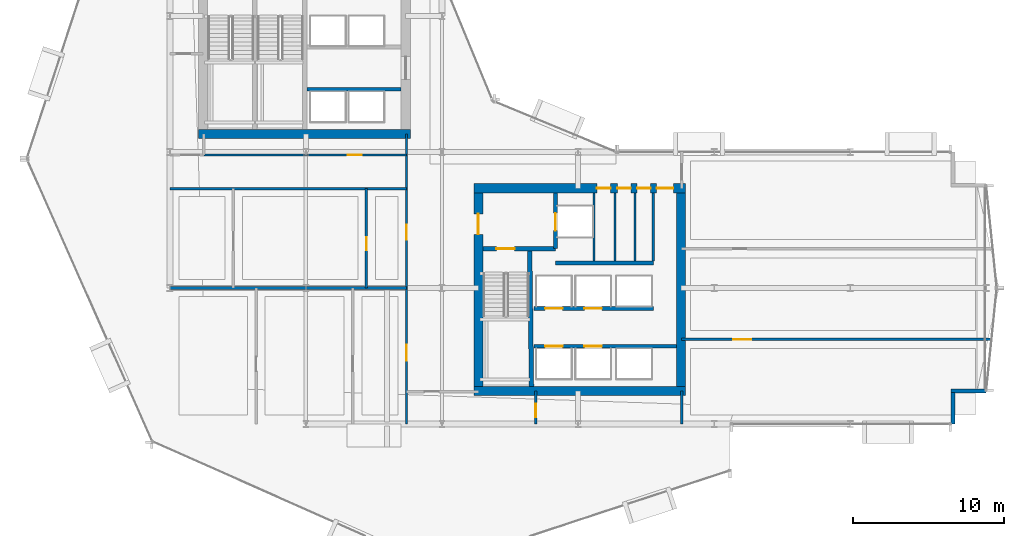
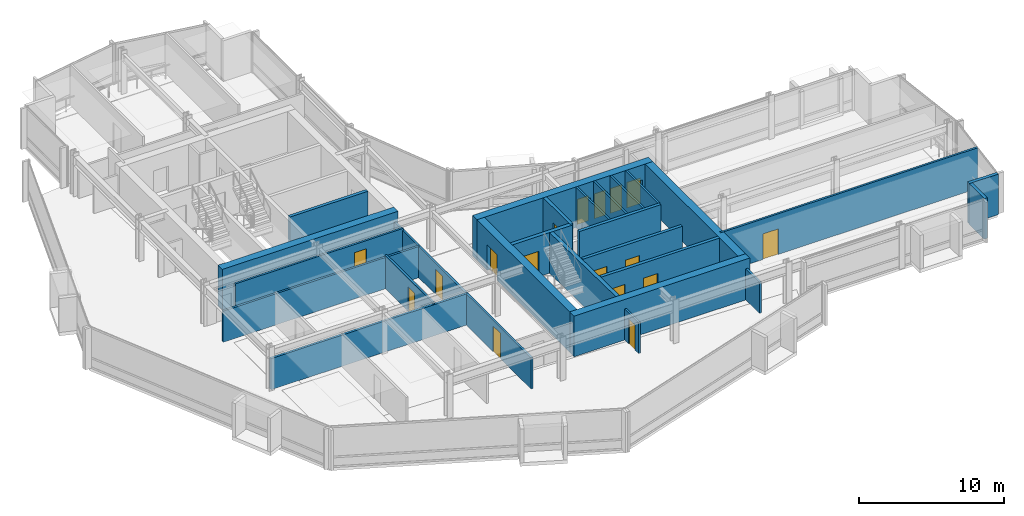
# One storey, part 27 of 34: 26 walls, 17 doors, 17 openings.
"""IFC4 building model written with IfcOpenShell, lengths in metres."""

from ifc_helpers import new_model, si_unit, direction, frame, frame_2d, origin, place, context, subcontext, project, spatial, rectangle, extrude, material, layer, layer_set, type_object, element, fill, save


model = new_model("IFC4")

# Units and contexts
model_context = context("Model", 3, precision=1e-05, world=origin(), true_north=direction((0.0, 1.0)))
body_context = subcontext(model_context, "Body", "Model", "MODEL_VIEW")
ifc_project = project(units=[si_unit("LENGTHUNIT", "METRE"), si_unit("AREAUNIT", "SQUARE_METRE"), si_unit("VOLUMEUNIT", "CUBIC_METRE"), si_unit("PLANEANGLEUNIT", "RADIAN"), si_unit("MASSUNIT", "GRAM", prefix="KILO")], contexts=[model_context])

# Site, building, storey
site_placement = place(None, origin())
site = spatial("IfcSite", under=ifc_project, at=site_placement, CompositionType="ELEMENT")
building_placement = place(site_placement, origin())
building = spatial("IfcBuilding", under=site, at=building_placement, Name="Solvaryn Broadcast Tower", CompositionType="ELEMENT")
storey_placement = place(building_placement, frame((0.0, 0.0, 69.300048828125)))
storey = spatial("IfcBuildingStorey", under=building, at=storey_placement, Name="L16", CompositionType="ELEMENT", Elevation=69.300048828125)

# Walls
ifc_material_1 = material(Name="Concrete f'c 70 MPa", Category="concrete")
ifc_layer_1 = layer(ifc_material_1, 0.60009765625)
ifc_layer_set_1 = layer_set([ifc_layer_1], Name="CW-SHEAR-600")
wall_type_1 = type_object("IfcWallType", Name="CW-SHEAR-600", PredefinedType="SHEAR", material=ifc_layer_set_1)
for number, where, z_axis, x_axis, name in (
    (1, (10.89990234375, 28.199951171875, 0.0), (0.0, 0.0, 1.0), (1.0, 0.0, 0.0), "L16 West Core South Shear Wall"),
    (2, (29.10009765625, 11.199951171875, 0.0), (0.0, 0.0, 1.0), (1.0, 0.0, 0.0), "L16 East Core South Shear Wall"),
):
    element("IfcWall", number, at=place(storey_placement, frame(where, z_axis=z_axis, x_axis=x_axis)), inside=storey, type_object=wall_type_1, Name=name, PredefinedType="SHEAR", context=body_context, shape_type="SweptSolid", body=[
        extrude(rectangle(XDim=14.0, YDim=0.60009765625, at=frame_2d((7.0, 0.0))), origin(), (0.0, 0.0, 1.0), 3.419921875),
    ])

# Wall, openings, doors
wall_1_placement = place(storey_placement, frame((43.10009765625, 24.60009765625, 0.0), z_axis=(0.0, 0.0, 1.0), x_axis=(-1.0, 0.0, 0.0)))
wall_1 = element("IfcWall", 3, at=wall_1_placement, inside=storey, type_object=wall_type_1, Name="L16 East Core North Shear Wall", PredefinedType="SHEAR", context=body_context, shape_type="SweptSolid", body=[
    extrude(rectangle(XDim=14.0, YDim=0.60009765625, at=frame_2d((7.0, 0.0))), origin(), (0.0, 0.0, 1.0), 3.419921875),
])
opening_1_placement = place(wall_1_placement, frame((0.800048828125, 0.0, 0.0)))
opening_1 = element("IfcOpeningElement", 4, at=opening_1_placement, cuts=wall_1, Name="Opening FD90C", PredefinedType="OPENING", context=body_context, shape_type="SweptSolid", body=[
    extrude(rectangle(XDim=1.10009765625, YDim=2.14990234375, at=frame_2d((0.550048828125, 1.074951171875))), frame((0.0, 0.31005859375, 0.0), z_axis=(0.0, -1.0, 0.0), x_axis=(1.0, 0.0, 0.0)), (0.0, 0.0, 1.0), 0.6201171875),
])
opening_2_placement = place(wall_1_placement, frame((2.300048828125, 0.0, 0.0)))
opening_2 = element("IfcOpeningElement", 5, at=opening_2_placement, cuts=wall_1, Name="Opening FD60C", PredefinedType="OPENING", context=body_context, shape_type="SweptSolid", body=[
    extrude(rectangle(XDim=0.89990234375, YDim=2.10009765625, at=frame_2d((0.449951171875, 1.050048828125))), frame((0.0, 0.31005859375, 0.0), z_axis=(0.0, -1.0, 0.0), x_axis=(1.0, 0.0, 0.0)), (0.0, 0.0, 1.0), 0.6201171875),
])
opening_3_placement = place(wall_1_placement, frame((3.60009765625, 0.0, 0.0)))
opening_3 = element("IfcOpeningElement", 6, at=opening_3_placement, cuts=wall_1, Name="Opening FD60C", PredefinedType="OPENING", context=body_context, shape_type="SweptSolid", body=[
    extrude(rectangle(XDim=0.89990234375, YDim=2.10009765625, at=frame_2d((0.449951171875, 1.050048828125))), frame((0.0, 0.31005859375, 0.0), z_axis=(0.0, -1.0, 0.0), x_axis=(1.0, 0.0, 0.0)), (0.0, 0.0, 1.0), 0.6201171875),
])
opening_4_placement = place(wall_1_placement, frame((4.949951171875, 0.0, 0.0)))
opening_4 = element("IfcOpeningElement", 7, at=opening_4_placement, cuts=wall_1, Name="Opening FD60C", PredefinedType="OPENING", context=body_context, shape_type="SweptSolid", body=[
    extrude(rectangle(XDim=0.89990234375, YDim=2.10009765625, at=frame_2d((0.449951171875, 1.050048828125))), frame((0.0, 0.31005859375, 0.0), z_axis=(0.0, -1.0, 0.0), x_axis=(1.0, 0.0, 0.0)), (0.0, 0.0, 1.0), 0.6201171875),
])
ifc_material_2 = material(Name="Flush Acoustic Steel and Timber Door Assembly", Category="steel")
door_type_1 = type_object("IfcDoorType", Name="FD60-SERV-900X2100", OperationType="NOTDEFINED", PredefinedType="DOOR", material=ifc_material_2)
door_1_placement = place(opening_2_placement, origin())
door_1 = element("IfcDoor", 8, at=door_1_placement, inside=storey, type_object=door_type_1, Name="L16 Core Wellness Room Door", OperationType="SINGLE_SWING_RIGHT", OverallHeight=2.10009765625, OverallWidth=0.89990234375, PredefinedType="DOOR", context=body_context, shape_type="SweptSolid", body=[
    extrude(rectangle(XDim=0.89990234375, YDim=2.10009765625, at=frame_2d((0.449951171875, 1.050048828125))), frame((0.0, 0.02490234375, 0.0), z_axis=(0.0, -1.0, 0.0), x_axis=(1.0, 0.0, 0.0)), (0.0, 0.0, 1.0), 0.050048828125),
])
fill(opening_2, door_1)
door_2_placement = place(opening_3_placement, origin())
door_2 = element("IfcDoor", 9, at=door_2_placement, inside=storey, type_object=door_type_1, Name="L16 Staff Restroom Door", OperationType="SINGLE_SWING_LEFT", OverallHeight=2.10009765625, OverallWidth=0.89990234375, PredefinedType="DOOR", context=body_context, shape_type="SweptSolid", body=[
    extrude(rectangle(XDim=0.89990234375, YDim=2.10009765625, at=frame_2d((0.449951171875, 1.050048828125))), frame((0.0, 0.02490234375, 0.0), z_axis=(0.0, -1.0, 0.0), x_axis=(1.0, 0.0, 0.0)), (0.0, 0.0, 1.0), 0.050048828125),
])
fill(opening_3, door_2)
door_3_placement = place(opening_4_placement, origin())
door_3 = element("IfcDoor", 10, at=door_3_placement, inside=storey, type_object=door_type_1, Name="L16 Accessible WC Door", OperationType="SINGLE_SWING_RIGHT", OverallHeight=2.10009765625, OverallWidth=0.89990234375, PredefinedType="DOOR", context=body_context, shape_type="SweptSolid", body=[
    extrude(rectangle(XDim=0.89990234375, YDim=2.10009765625, at=frame_2d((0.449951171875, 1.050048828125))), frame((0.0, 0.02490234375, 0.0), z_axis=(0.0, -1.0, 0.0), x_axis=(1.0, 0.0, 0.0)), (0.0, 0.0, 1.0), 0.050048828125),
])
fill(opening_4, door_3)
ifc_material_3 = material(Name="Flush Acoustic Steel and Timber Door Assembly", Category="steel")
door_type_2 = type_object("IfcDoorType", Name="FD90-PLANT-1100X2150", OperationType="NOTDEFINED", PredefinedType="DOOR", material=ifc_material_3)
door_4_placement = place(opening_1_placement, origin())
door_4 = element("IfcDoor", 11, at=door_4_placement, inside=storey, type_object=door_type_2, Name="L16 East Core Lobby Corridor Door", OperationType="SINGLE_SWING_LEFT", OverallHeight=2.14990234375, OverallWidth=1.10009765625, PredefinedType="DOOR", context=body_context, shape_type="SweptSolid", body=[
    extrude(rectangle(XDim=1.10009765625, YDim=2.14990234375, at=frame_2d((0.550048828125, 1.074951171875))), frame((0.0, 0.02490234375, 0.0), z_axis=(0.0, -1.0, 0.0), x_axis=(1.0, 0.0, 0.0)), (0.0, 0.0, 1.0), 0.050048828125),
])
fill(opening_1, door_4)

# Wall, opening, door
wall_2_placement = place(storey_placement, frame((29.39990234375, 24.300048828125, 0.0), z_axis=(0.0, 0.0, 1.0), x_axis=(0.0, -1.0, 0.0)))
wall_2 = element("IfcWall", 12, at=wall_2_placement, inside=storey, type_object=wall_type_1, Name="L16 East Core West Shear Wall", PredefinedType="SHEAR", context=body_context, shape_type="SweptSolid", body=[
    extrude(rectangle(XDim=12.800048828125, YDim=0.60009765625, at=frame_2d((6.39990234375, 0.0))), origin(), (0.0, 0.0, 1.0), 3.419921875),
])
opening_5_placement = place(wall_2_placement, frame((1.39990234375, 0.0, 0.0)))
opening_5 = element("IfcOpeningElement", 13, at=opening_5_placement, cuts=wall_2, Name="Opening FD90B", PredefinedType="OPENING", context=body_context, shape_type="SweptSolid", body=[
    extrude(rectangle(XDim=1.35009765625, YDim=2.14990234375, at=frame_2d((0.675048828125, 1.074951171875))), frame((0.0, 0.31005859375, 0.0), z_axis=(0.0, -1.0, 0.0), x_axis=(1.0, 0.0, 0.0)), (0.0, 0.0, 1.0), 0.6201171875),
])
ifc_material_4 = material(Name="Flush Acoustic Steel and Timber Door Assembly", Category="steel")
door_type_3 = type_object("IfcDoorType", Name="FD90-LOBBY-1350X2150", OperationType="NOTDEFINED", PredefinedType="DOOR", material=ifc_material_4)
door_5_placement = place(opening_5_placement, origin())
door_5 = element("IfcDoor", 14, at=door_5_placement, inside=storey, type_object=door_type_3, Name="L16 East FSAE Lobby Door", OperationType="SINGLE_SWING_RIGHT", OverallHeight=2.14990234375, OverallWidth=1.35009765625, PredefinedType="DOOR", context=body_context, shape_type="SweptSolid", body=[
    extrude(rectangle(XDim=1.35009765625, YDim=2.14990234375, at=frame_2d((0.675048828125, 1.074951171875))), frame((0.0, 0.02490234375, 0.0), z_axis=(0.0, -1.0, 0.0), x_axis=(1.0, 0.0, 0.0)), (0.0, 0.0, 1.0), 0.050048828125),
])
fill(opening_5, door_5)

# Walls
wall_3_placement = place(storey_placement, frame((42.800048828125, 11.5, 0.0), z_axis=(0.0, 0.0, 1.0), x_axis=(0.0, 1.0, 0.0)))
element("IfcWall", 15, at=wall_3_placement, inside=storey, type_object=wall_type_1, Name="L16 East Core East Shear Wall", PredefinedType="SHEAR", context=body_context, shape_type="SweptSolid", body=[
    extrude(rectangle(XDim=12.800048828125, YDim=0.60009765625, at=frame_2d((6.39990234375, 0.0))), origin(), (0.0, 0.0, 1.0), 3.419921875),
])
ifc_material_5 = material(Name="Concrete f'c 50 MPa", Category="concrete")
ifc_layer_2 = layer(ifc_material_5, 0.260009765625)
ifc_layer_set_2 = layer_set([ifc_layer_2], Name="EW-PIER-260")
wall_type_2 = type_object("IfcWallType", Name="EW-PIER-260", PredefinedType="SOLIDWALL", material=ifc_layer_set_2)
wall_4_placement = place(storey_placement, frame((60.800048828125, 9.0, 0.0), z_axis=(0.0, 0.0, 1.0), x_axis=(0.0, 1.0, 0.0)))
element("IfcWall", 16, at=wall_4_placement, inside=storey, type_object=wall_type_2, Name="L16 Notched Corner Pier Wall NSE1", PredefinedType="SOLIDWALL", context=body_context, shape_type="SweptSolid", body=[
    extrude(rectangle(XDim=2.080078125, YDim=0.260009765625, at=frame_2d((1.0400390625, 0.0))), origin(), (0.0, 0.0, 1.0), 3.419921875),
])
wall_5_placement = place(storey_placement, frame((60.679931640625, 11.199951171875, 0.0), z_axis=(0.0, 0.0, 1.0), x_axis=(1.0, 0.0, 0.0)))
element("IfcWall", 17, at=wall_5_placement, inside=storey, type_object=wall_type_2, Name="L16 Notched Corner Pier Wall NSE2", PredefinedType="SOLIDWALL", context=body_context, shape_type="SweptSolid", body=[
    extrude(rectangle(XDim=2.320068359375, YDim=0.260009765625, at=frame_2d((1.16015625, 0.0))), origin(), (0.0, 0.0, 1.0), 3.419921875),
])
ifc_material_6 = material(Name="Metal-Stud Service Core Partition")
ifc_layer_3 = layer(ifc_material_6, 0.14990234375)
ifc_layer_set_3 = layer_set([ifc_layer_3], Name="IW-PART-150")
wall_type_3 = type_object("IfcWallType", Name="IW-PART-150", PredefinedType="PARTITIONING", material=ifc_layer_set_3)
for number, where, z_axis, x_axis, name in (
    (18, (37.050048828125, 19.780029296875, 0.0), (0.0, 0.0, 1.0), (0.0, 1.0, 0.0), "L16 Interior Partition IW-L16-CE-FL2E"),
    (19, (38.43994140625, 19.780029296875, 0.0), (0.0, 0.0, 1.0), (0.0, 1.0, 0.0), "L16 Interior Partition IW-L16-CE-V1"),
    (20, (39.77001953125, 19.780029296875, 0.0), (0.0, 0.0, 1.0), (0.0, 1.0, 0.0), "L16 Interior Partition IW-L16-CE-V2"),
    (21, (40.97998046875, 19.780029296875, 0.0), (0.0, 0.0, 1.0), (0.0, 1.0, 0.0), "L16 Interior Partition IW-L16-CE-V3"),
):
    element("IfcWall", number, at=place(storey_placement, frame(where, z_axis=z_axis, x_axis=x_axis)), inside=storey, type_object=wall_type_3, Name=name, PredefinedType="PARTITIONING", context=body_context, shape_type="SweptSolid", body=[
        extrude(rectangle(XDim=4.52001953125, YDim=0.14990234375, at=frame_2d((2.260009765625, 0.0))), origin(), (0.0, 0.0, 1.0), 3.419921875),
    ])

# Wall, opening, door
wall_6_placement = place(storey_placement, frame((33.199951171875, 9.0, 0.0), z_axis=(0.0, 0.0, 1.0), x_axis=(0.0, 1.0, 0.0)))
wall_6 = element("IfcWall", 22, at=wall_6_placement, inside=storey, type_object=wall_type_3, Name="L16 Interior Partition IW-L16-SC-V", PredefinedType="PARTITIONING", context=body_context, shape_type="SweptSolid", body=[
    extrude(rectangle(XDim=2.199951171875, YDim=0.14990234375, at=frame_2d((1.10009765625, 0.0))), origin(), (0.0, 0.0, 1.0), 2.626953125),
])
opening_6_placement = place(wall_6_placement, frame((0.449951171875, 0.0, 0.0)))
opening_6 = element("IfcOpeningElement", 23, at=opening_6_placement, cuts=wall_6, Name="Opening FD60C", PredefinedType="OPENING", context=body_context, shape_type="SweptSolid", body=[
    extrude(rectangle(XDim=0.89990234375, YDim=2.10009765625, at=frame_2d((0.449951171875, 1.050048828125))), frame((0.0, 0.0849609375, 0.0), z_axis=(0.0, -1.0, 0.0), x_axis=(1.0, 0.0, 0.0)), (0.0, 0.0, 1.0), 0.169921875),
])
door_6_placement = place(opening_6_placement, origin())
door_6 = element("IfcDoor", 24, at=door_6_placement, inside=storey, type_object=door_type_1, Name="L16 Door DR-L16-SC1", OperationType="SINGLE_SWING_LEFT", OverallHeight=2.10009765625, OverallWidth=0.89990234375, PredefinedType="DOOR", context=body_context, shape_type="SweptSolid", body=[
    extrude(rectangle(XDim=0.89990234375, YDim=2.10009765625, at=frame_2d((0.449951171875, 1.050048828125))), frame((0.0, 0.02490234375, 0.0), z_axis=(0.0, -1.0, 0.0), x_axis=(1.0, 0.0, 0.0)), (0.0, 0.0, 1.0), 0.050048828125),
])
fill(opening_6, door_6)

# Wall, openings, doors
ifc_material_7 = material(Name="Metal-Stud Gypsum Office Partition")
ifc_layer_4 = layer(ifc_material_7, 0.159912109375)
ifc_layer_set_4 = layer_set([ifc_layer_4], Name="IW-PART-160")
wall_type_4 = type_object("IfcWallType", Name="IW-PART-160", PredefinedType="PARTITIONING", material=ifc_layer_set_4)
wall_7_placement = place(storey_placement, frame((24.64990234375, 9.0, 0.0), z_axis=(0.0, 0.0, 1.0), x_axis=(0.0, 1.0, 0.0)))
wall_7 = element("IfcWall", 25, at=wall_7_placement, inside=storey, type_object=wall_type_4, Name="L16 Interior Partition IW-L16-SW-EB", PredefinedType="PARTITIONING", context=body_context, shape_type="SweptSolid", body=[
    extrude(rectangle(XDim=19.199951171875, YDim=0.159912109375, at=frame_2d((9.60009765625, 0.0))), origin(), (0.0, 0.0, 1.0), 2.626953125),
])
opening_7_placement = place(wall_7_placement, frame((12.199951171875, 0.0, 0.0)))
opening_7 = element("IfcOpeningElement", 26, at=opening_7_placement, cuts=wall_7, Name="Opening ID02", PredefinedType="OPENING", context=body_context, shape_type="SweptSolid", body=[
    extrude(rectangle(XDim=1.0, YDim=2.10009765625, at=frame_2d((0.5, 1.050048828125))), frame((0.0, 0.090087890625, 0.0), z_axis=(0.0, -1.0, 0.0), x_axis=(1.0, 0.0, 0.0)), (0.0, 0.0, 1.0), 0.179931640625),
])
opening_8_placement = place(wall_7_placement, frame((4.199951171875, 0.0, 0.0)))
opening_8 = element("IfcOpeningElement", 27, at=opening_8_placement, cuts=wall_7, Name="Opening ID03", PredefinedType="OPENING", context=body_context, shape_type="SweptSolid", body=[
    extrude(rectangle(XDim=1.050048828125, YDim=2.14990234375, at=frame_2d((0.52490234375, 1.074951171875))), frame((0.0, 0.090087890625, 0.0), z_axis=(0.0, -1.0, 0.0), x_axis=(1.0, 0.0, 0.0)), (0.0, 0.0, 1.0), 0.179931640625),
])
ifc_material_8 = material(Name="Flush Acoustic Steel and Timber Door Assembly", Category="steel")
door_type_4 = type_object("IfcDoorType", Name="ID-02-1000X2100", OperationType="NOTDEFINED", PredefinedType="DOOR", material=ifc_material_8)
door_7_placement = place(opening_7_placement, origin())
door_7 = element("IfcDoor", 28, at=door_7_placement, inside=storey, type_object=door_type_4, Name="L16 Door DR-L16-SW-EN", OperationType="SINGLE_SWING_LEFT", OverallHeight=2.10009765625, OverallWidth=1.0, PredefinedType="DOOR", context=body_context, shape_type="SweptSolid", body=[
    extrude(rectangle(XDim=1.0, YDim=2.10009765625, at=frame_2d((0.5, 1.050048828125))), frame((0.0, 0.02490234375, 0.0), z_axis=(0.0, -1.0, 0.0), x_axis=(1.0, 0.0, 0.0)), (0.0, 0.0, 1.0), 0.050048828125),
])
fill(opening_7, door_7)
ifc_material_9 = material(Name="Flush Acoustic Steel and Timber Door Assembly", Category="steel")
door_type_5 = type_object("IfcDoorType", Name="ID-03-1050X2150", OperationType="NOTDEFINED", PredefinedType="DOOR", material=ifc_material_9)
door_8_placement = place(opening_8_placement, origin())
door_8 = element("IfcDoor", 29, at=door_8_placement, inside=storey, type_object=door_type_5, Name="L16 Door DR-L16-SW-ES", OperationType="SINGLE_SWING_RIGHT", OverallHeight=2.14990234375, OverallWidth=1.050048828125, PredefinedType="DOOR", context=body_context, shape_type="SweptSolid", body=[
    extrude(rectangle(XDim=1.050048828125, YDim=2.14990234375, at=frame_2d((0.52490234375, 1.074951171875))), frame((0.0, 0.02490234375, 0.0), z_axis=(0.0, -1.0, 0.0), x_axis=(1.0, 0.0, 0.0)), (0.0, 0.0, 1.0), 0.050048828125),
])
fill(opening_8, door_8)

# Wall
wall_8_placement = place(storey_placement, frame((9.0, 24.580078125, 0.0), z_axis=(0.0, 0.0, 1.0), x_axis=(1.0, 0.0, 0.0)))
element("IfcWall", 30, at=wall_8_placement, inside=storey, type_object=wall_type_4, Name="L16 Interior Partition IW-L16-SW-NB", PredefinedType="PARTITIONING", context=body_context, shape_type="SweptSolid", body=[
    extrude(rectangle(XDim=15.64990234375, YDim=0.159912109375, at=frame_2d((7.824951171875, 0.0))), origin(), (0.0, 0.0, 1.0), 2.626953125),
])

# Wall, opening, door
wall_9_placement = place(storey_placement, frame((11.25, 26.800048828125, 0.0), z_axis=(0.0, 0.0, 1.0), x_axis=(1.0, 0.0, 0.0)))
wall_9 = element("IfcWall", 31, at=wall_9_placement, inside=storey, type_object=wall_type_4, Name="L16 Interior Partition IW-L16-SW-N2", PredefinedType="PARTITIONING", context=body_context, shape_type="SweptSolid", body=[
    extrude(rectangle(XDim=13.39990234375, YDim=0.159912109375, at=frame_2d((6.699951171875, 0.0))), origin(), (0.0, 0.0, 1.0), 2.7890625),
])
opening_9_placement = place(wall_9_placement, frame((9.5, 0.0, 0.0)))
opening_9 = element("IfcOpeningElement", 32, at=opening_9_placement, cuts=wall_9, Name="Opening ID01", PredefinedType="OPENING", context=body_context, shape_type="SweptSolid", body=[
    extrude(rectangle(XDim=0.949951171875, YDim=2.10009765625, at=frame_2d((0.47509765625, 1.050048828125))), frame((0.0, 0.090087890625, 0.0), z_axis=(0.0, -1.0, 0.0), x_axis=(1.0, 0.0, 0.0)), (0.0, 0.0, 1.0), 0.179931640625),
])
ifc_material_10 = material(Name="Flush Acoustic Steel and Timber Door Assembly", Category="steel")
door_type_6 = type_object("IfcDoorType", Name="ID-01-950X2100", OperationType="NOTDEFINED", PredefinedType="DOOR", material=ifc_material_10)
door_9_placement = place(opening_9_placement, origin())
door_9 = element("IfcDoor", 33, at=door_9_placement, inside=storey, type_object=door_type_6, Name="L16 Door DR-L16-SW-ALC", OperationType="SINGLE_SWING_RIGHT", OverallHeight=2.10009765625, OverallWidth=0.949951171875, PredefinedType="DOOR", context=body_context, shape_type="SweptSolid", body=[
    extrude(rectangle(XDim=0.949951171875, YDim=2.10009765625, at=frame_2d((0.47509765625, 1.050048828125))), frame((0.0, 0.02490234375, 0.0), z_axis=(0.0, -1.0, 0.0), x_axis=(1.0, 0.0, 0.0)), (0.0, 0.0, 1.0), 0.050048828125),
])
fill(opening_9, door_9)

wall_10_placement = place(storey_placement, frame((22.0, 18.0, 0.0), z_axis=(0.0, 0.0, 1.0), x_axis=(0.0, 1.0, 0.0)))
wall_10 = element("IfcWall", 34, at=wall_10_placement, inside=storey, type_object=wall_type_4, Name="L16 Interior Partition IW-L16-SWN-V2", PredefinedType="PARTITIONING", context=body_context, shape_type="SweptSolid", body=[
    extrude(rectangle(XDim=6.580078125, YDim=0.159912109375, at=frame_2d((3.2900390625, 0.0))), origin(), (0.0, 0.0, 1.0), 2.7890625),
])
opening_10_placement = place(wall_10_placement, frame((2.5, 0.0, 0.0)))
opening_10 = element("IfcOpeningElement", 35, at=opening_10_placement, cuts=wall_10, Name="Opening ID07", PredefinedType="OPENING", context=body_context, shape_type="SweptSolid", body=[
    extrude(rectangle(XDim=0.860107421875, YDim=2.050048828125, at=frame_2d((0.43017578125, 1.02490234375))), frame((0.0, 0.090087890625, 0.0), z_axis=(0.0, -1.0, 0.0), x_axis=(1.0, 0.0, 0.0)), (0.0, 0.0, 1.0), 0.179931640625),
])
ifc_material_11 = material(Name="Flush Acoustic Steel and Timber Door Assembly", Category="steel")
door_type_7 = type_object("IfcDoorType", Name="ID-07-860X2050", OperationType="NOTDEFINED", PredefinedType="DOOR", material=ifc_material_11)
door_10_placement = place(opening_10_placement, origin())
door_10 = element("IfcDoor", 36, at=door_10_placement, inside=storey, type_object=door_type_7, Name="L16 Door DR-L16-SWN-2", OperationType="SINGLE_SWING_RIGHT", OverallHeight=2.050048828125, OverallWidth=0.860107421875, PredefinedType="DOOR", context=body_context, shape_type="SweptSolid", body=[
    extrude(rectangle(XDim=0.860107421875, YDim=2.050048828125, at=frame_2d((0.43017578125, 1.02490234375))), frame((0.0, 0.02490234375, 0.0), z_axis=(0.0, -1.0, 0.0), x_axis=(1.0, 0.0, 0.0)), (0.0, 0.0, 1.0), 0.050048828125),
])
fill(opening_10, door_10)

# Wall
wall_11_placement = place(storey_placement, frame((42.85009765625, 9.0, 0.0), z_axis=(0.0, 0.0, 1.0), x_axis=(0.0, 1.0, 0.0)))
element("IfcWall", 37, at=wall_11_placement, inside=storey, type_object=wall_type_4, Name="L16 Interior Partition IW-L16-SC-E", PredefinedType="PARTITIONING", context=body_context, shape_type="SweptSolid", body=[
    extrude(rectangle(XDim=2.199951171875, YDim=0.159912109375, at=frame_2d((1.10009765625, 0.0))), origin(), (0.0, 0.0, 1.0), 2.626953125),
])

# Wall, opening, door
wall_12_placement = place(storey_placement, frame((42.85009765625, 14.60009765625, 0.0), z_axis=(0.0, 0.0, 1.0), x_axis=(1.0, 0.0, 0.0)))
wall_12 = element("IfcWall", 38, at=wall_12_placement, inside=storey, type_object=wall_type_4, Name="L16 Interior Partition IW-L16-EW-H1", PredefinedType="PARTITIONING", context=body_context, shape_type="SweptSolid", body=[
    extrude(rectangle(XDim=20.5, YDim=0.159912109375, at=frame_2d((10.25, 0.0))), origin(), (0.0, 0.0, 1.0), 3.419921875),
])
opening_11_placement = place(wall_12_placement, frame((3.39990234375, 0.0, 0.0)))
opening_11 = element("IfcOpeningElement", 39, at=opening_11_placement, cuts=wall_12, Name="Opening ID04", PredefinedType="OPENING", context=body_context, shape_type="SweptSolid", body=[
    extrude(rectangle(XDim=1.199951171875, YDim=2.14990234375, at=frame_2d((0.60009765625, 1.074951171875))), frame((0.0, 0.090087890625, 0.0), z_axis=(0.0, -1.0, 0.0), x_axis=(1.0, 0.0, 0.0)), (0.0, 0.0, 1.0), 0.179931640625),
])
ifc_material_12 = material(Name="Flush Acoustic Steel and Timber Door Assembly", Category="steel")
door_type_8 = type_object("IfcDoorType", Name="ID-04-1200X2150", OperationType="NOTDEFINED", PredefinedType="DOOR", material=ifc_material_12)
door_11_placement = place(opening_11_placement, origin())
door_11 = element("IfcDoor", 40, at=door_11_placement, inside=storey, type_object=door_type_8, Name="L16 Door DR-L16-EW-1", OperationType="SINGLE_SWING_LEFT", OverallHeight=2.14990234375, OverallWidth=1.199951171875, PredefinedType="DOOR", context=body_context, shape_type="SweptSolid", body=[
    extrude(rectangle(XDim=1.199951171875, YDim=2.14990234375, at=frame_2d((0.60009765625, 1.074951171875))), frame((0.0, 0.02490234375, 0.0), z_axis=(0.0, -1.0, 0.0), x_axis=(1.0, 0.0, 0.0)), (0.0, 0.0, 1.0), 0.050048828125),
])
fill(opening_11, door_11)

# Walls
ifc_material_13 = material(Name="Acoustic Metal-Stud Gypsum Partition")
ifc_layer_5 = layer(ifc_material_13, 0.179931640625)
ifc_layer_set_5 = layer_set([ifc_layer_5], Name="IW-PART-180")
wall_type_5 = type_object("IfcWallType", Name="IW-PART-180", PredefinedType="PARTITIONING", material=ifc_layer_set_5)
wall_13_placement = place(storey_placement, frame((9.0, 18.0, 0.0), z_axis=(0.0, 0.0, 1.0), x_axis=(1.0, 0.0, 0.0)))
element("IfcWall", 41, at=wall_13_placement, inside=storey, type_object=wall_type_5, Name="L16 Interior Partition IW-L16-SW-HY", PredefinedType="PARTITIONING", context=body_context, shape_type="SweptSolid", body=[
    extrude(rectangle(XDim=15.64990234375, YDim=0.179931640625, at=frame_2d((7.824951171875, 0.0))), origin(), (0.0, 0.0, 1.0), 2.626953125),
])
ifc_material_14 = material(Name="Concrete f'c 60 MPa", Category="concrete")
ifc_layer_6 = layer(ifc_material_14, 0.25)
ifc_layer_set_6 = layer_set([ifc_layer_6], Name="SW-SHAFT-250")
wall_type_6 = type_object("IfcWallType", Name="SW-SHAFT-250", PredefinedType="PARTITIONING", material=ifc_layer_set_6)
wall_14_placement = place(storey_placement, frame((18.070068359375, 31.14990234375, 0.0), z_axis=(0.0, 0.0, 1.0), x_axis=(1.0, 0.0, 0.0)))
element("IfcWall", 42, at=wall_14_placement, inside=storey, type_object=wall_type_6, Name="L16 High-Rise Lift Bank South Wall", PredefinedType="PARTITIONING", context=body_context, shape_type="SweptSolid", body=[
    extrude(rectangle(XDim=6.22998046875, YDim=0.25, at=frame_2d((3.114990234375, 0.0))), origin(), (0.0, 0.0, 1.0), 3.419921875),
])

# Wall, opening, door
wall_15_placement = place(storey_placement, frame((34.5, 20.60009765625, 0.0), z_axis=(0.0, 0.0, 1.0), x_axis=(0.0, 1.0, 0.0)))
wall_15 = element("IfcWall", 43, at=wall_15_placement, inside=storey, type_object=wall_type_6, Name="L16 East FSAE Lobby East Wall", PredefinedType="PARTITIONING", context=body_context, shape_type="SweptSolid", body=[
    extrude(rectangle(XDim=3.699951171875, YDim=0.25, at=frame_2d((1.85009765625, 0.0))), origin(), (0.0, 0.0, 1.0), 3.419921875),
])
opening_12_placement = place(wall_15_placement, frame((1.199951171875, 0.0, 0.0)))
opening_12 = element("IfcOpeningElement", 44, at=opening_12_placement, cuts=wall_15, Name="Opening LD01", PredefinedType="OPENING", context=body_context, shape_type="SweptSolid", body=[
    extrude(rectangle(XDim=1.14990234375, YDim=2.14990234375, at=frame_2d((0.574951171875, 1.074951171875))), frame((0.0, 0.135009765625, 0.0), z_axis=(0.0, -1.0, 0.0), x_axis=(1.0, 0.0, 0.0)), (0.0, 0.0, 1.0), 0.27001953125),
])
ifc_material_15 = material(Name="Flush Acoustic Steel and Timber Door Assembly", Category="steel")
door_type_9 = type_object("IfcDoorType", Name="LD-LIFT-1150X2150", OperationType="NOTDEFINED", PredefinedType="DOOR", material=ifc_material_15)
door_12_placement = place(opening_12_placement, origin())
door_12 = element("IfcDoor", 45, at=door_12_placement, inside=storey, type_object=door_type_9, Name="L16 FL2 Lift Landing Door", OperationType="DOUBLE_DOOR_SLIDING", OverallHeight=2.14990234375, OverallWidth=1.14990234375, PredefinedType="DOOR", context=body_context, shape_type="SweptSolid", body=[
    extrude(rectangle(XDim=1.14990234375, YDim=2.14990234375, at=frame_2d((0.574951171875, 1.074951171875))), frame((0.0, 0.02490234375, 0.0), z_axis=(0.0, -1.0, 0.0), x_axis=(1.0, 0.0, 0.0)), (0.0, 0.0, 1.0), 0.050048828125),
])
fill(opening_12, door_12)

# Wall
wall_16_placement = place(storey_placement, frame((34.5, 19.64990234375, 0.0), z_axis=(0.0, 0.0, 1.0), x_axis=(1.0, 0.0, 0.0)))
element("IfcWall", 46, at=wall_16_placement, inside=storey, type_object=wall_type_6, Name="L16 East Core Restroom South Wall", PredefinedType="PARTITIONING", context=body_context, shape_type="SweptSolid", body=[
    extrude(rectangle(XDim=6.47998046875, YDim=0.25, at=frame_2d((3.239990234375, 0.0))), origin(), (0.0, 0.0, 1.0), 3.419921875),
])

# Wall, openings, doors
wall_17_placement = place(storey_placement, frame((33.070068359375, 14.14990234375, 0.0), z_axis=(0.0, 0.0, 1.0), x_axis=(1.0, 0.0, 0.0)))
wall_17 = element("IfcWall", 47, at=wall_17_placement, inside=storey, type_object=wall_type_6, Name="L16 East Lift Bank South Wall", PredefinedType="PARTITIONING", context=body_context, shape_type="SweptSolid", body=[
    extrude(rectangle(XDim=9.429931640625, YDim=0.25, at=frame_2d((4.71484375, 0.0))), origin(), (0.0, 0.0, 1.0), 3.419921875),
])
opening_13_placement = place(wall_17_placement, frame((0.7548828125, 0.0, 0.0)))
opening_13 = element("IfcOpeningElement", 48, at=opening_13_placement, cuts=wall_17, Name="Opening LD01", PredefinedType="OPENING", context=body_context, shape_type="SweptSolid", body=[
    extrude(rectangle(XDim=1.14990234375, YDim=2.14990234375, at=frame_2d((0.574951171875, 1.074951171875))), frame((0.0, 0.135009765625, 0.0), z_axis=(0.0, -1.0, 0.0), x_axis=(1.0, 0.0, 0.0)), (0.0, 0.0, 1.0), 0.27001953125),
])
opening_14_placement = place(wall_17_placement, frame((3.35498046875, 0.0, 0.0)))
opening_14 = element("IfcOpeningElement", 49, at=opening_14_placement, cuts=wall_17, Name="Opening LD01", PredefinedType="OPENING", context=body_context, shape_type="SweptSolid", body=[
    extrude(rectangle(XDim=1.14990234375, YDim=2.14990234375, at=frame_2d((0.574951171875, 1.074951171875))), frame((0.0, 0.135009765625, 0.0), z_axis=(0.0, -1.0, 0.0), x_axis=(1.0, 0.0, 0.0)), (0.0, 0.0, 1.0), 0.27001953125),
])
door_13_placement = place(opening_13_placement, origin())
door_13 = element("IfcDoor", 50, at=door_13_placement, inside=storey, type_object=door_type_9, Name="L16 PL1 Lift Landing Door", OperationType="DOUBLE_DOOR_SLIDING", OverallHeight=2.14990234375, OverallWidth=1.14990234375, PredefinedType="DOOR", context=body_context, shape_type="SweptSolid", body=[
    extrude(rectangle(XDim=1.14990234375, YDim=2.14990234375, at=frame_2d((0.574951171875, 1.074951171875))), frame((0.0, 0.02490234375, 0.0), z_axis=(0.0, -1.0, 0.0), x_axis=(1.0, 0.0, 0.0)), (0.0, 0.0, 1.0), 0.050048828125),
])
fill(opening_13, door_13)
door_14_placement = place(opening_14_placement, origin())
door_14 = element("IfcDoor", 51, at=door_14_placement, inside=storey, type_object=door_type_9, Name="L16 PL2 Lift Landing Door", OperationType="DOUBLE_DOOR_SLIDING", OverallHeight=2.14990234375, OverallWidth=1.14990234375, PredefinedType="DOOR", context=body_context, shape_type="SweptSolid", body=[
    extrude(rectangle(XDim=1.14990234375, YDim=2.14990234375, at=frame_2d((0.574951171875, 1.074951171875))), frame((0.0, 0.02490234375, 0.0), z_axis=(0.0, -1.0, 0.0), x_axis=(1.0, 0.0, 0.0)), (0.0, 0.0, 1.0), 0.050048828125),
])
fill(opening_14, door_14)

wall_18_placement = place(storey_placement, frame((40.97998046875, 16.64990234375, 0.0), z_axis=(0.0, 0.0, 1.0), x_axis=(-1.0, 0.0, 0.0)))
wall_18 = element("IfcWall", 52, at=wall_18_placement, inside=storey, type_object=wall_type_6, Name="L16 East Lift Bank North Wall", PredefinedType="PARTITIONING", context=body_context, shape_type="SweptSolid", body=[
    extrude(rectangle(XDim=7.909912109375, YDim=0.25, at=frame_2d((3.955078125, 0.0))), origin(), (0.0, 0.0, 1.0), 3.419921875),
])
opening_15_placement = place(wall_18_placement, frame((6.0048828125, 0.0, 0.0)))
opening_15 = element("IfcOpeningElement", 53, at=opening_15_placement, cuts=wall_18, Name="Opening LD01", PredefinedType="OPENING", context=body_context, shape_type="SweptSolid", body=[
    extrude(rectangle(XDim=1.14990234375, YDim=2.14990234375, at=frame_2d((0.574951171875, 1.074951171875))), frame((0.0, 0.135009765625, 0.0), z_axis=(0.0, -1.0, 0.0), x_axis=(1.0, 0.0, 0.0)), (0.0, 0.0, 1.0), 0.27001953125),
])
opening_16_placement = place(wall_18_placement, frame((3.405029296875, 0.0, 0.0)))
opening_16 = element("IfcOpeningElement", 54, at=opening_16_placement, cuts=wall_18, Name="Opening LD01", PredefinedType="OPENING", context=body_context, shape_type="SweptSolid", body=[
    extrude(rectangle(XDim=1.14990234375, YDim=2.14990234375, at=frame_2d((0.574951171875, 1.074951171875))), frame((0.0, 0.135009765625, 0.0), z_axis=(0.0, -1.0, 0.0), x_axis=(1.0, 0.0, 0.0)), (0.0, 0.0, 1.0), 0.27001953125),
])
door_15_placement = place(opening_15_placement, origin())
door_15 = element("IfcDoor", 55, at=door_15_placement, inside=storey, type_object=door_type_9, Name="L16 PL3 Lift Landing Door", OperationType="DOUBLE_DOOR_SLIDING", OverallHeight=2.14990234375, OverallWidth=1.14990234375, PredefinedType="DOOR", context=body_context, shape_type="SweptSolid", body=[
    extrude(rectangle(XDim=1.14990234375, YDim=2.14990234375, at=frame_2d((0.574951171875, 1.074951171875))), frame((0.0, 0.02490234375, 0.0), z_axis=(0.0, -1.0, 0.0), x_axis=(1.0, 0.0, 0.0)), (0.0, 0.0, 1.0), 0.050048828125),
])
fill(opening_15, door_15)
door_16_placement = place(opening_16_placement, origin())
door_16 = element("IfcDoor", 56, at=door_16_placement, inside=storey, type_object=door_type_9, Name="L16 PL4 Lift Landing Door", OperationType="DOUBLE_DOOR_SLIDING", OverallHeight=2.14990234375, OverallWidth=1.14990234375, PredefinedType="DOOR", context=body_context, shape_type="SweptSolid", body=[
    extrude(rectangle(XDim=1.14990234375, YDim=2.14990234375, at=frame_2d((0.574951171875, 1.074951171875))), frame((0.0, 0.02490234375, 0.0), z_axis=(0.0, -1.0, 0.0), x_axis=(1.0, 0.0, 0.0)), (0.0, 0.0, 1.0), 0.050048828125),
])
fill(opening_16, door_16)

# Wall
ifc_material_16 = material(Name="Concrete f'c 70 MPa", Category="concrete")
ifc_layer_7 = layer(ifc_material_16, 0.300048828125)
ifc_layer_set_7 = layer_set([ifc_layer_7], Name="SW-SHAFT-300")
wall_type_7 = type_object("IfcWallType", Name="SW-SHAFT-300", PredefinedType="SHEAR", material=ifc_layer_set_7)
wall_19_placement = place(storey_placement, frame((32.919921875, 11.5, 0.0), z_axis=(0.0, 0.0, 1.0), x_axis=(-0.013244407292, 0.999912288991, 0.0)))
element("IfcWall", 57, at=wall_19_placement, inside=storey, type_object=wall_type_7, Name="L16 Stair 3 East Shear Wall", PredefinedType="SHEAR", context=body_context, shape_type="SweptSolid", body=[
    extrude(rectangle(XDim=9.05078125, YDim=0.300048828125, at=frame_2d((4.525390625, 0.0))), origin(), (0.0, 0.0, 1.0), 3.419921875),
])

# Wall, opening, door
wall_20_placement = place(storey_placement, frame((34.5, 20.60009765625, 0.0), z_axis=(0.0, 0.0, 1.0), x_axis=(-1.0, 0.0, 0.0)))
wall_20 = element("IfcWall", 58, at=wall_20_placement, inside=storey, type_object=wall_type_7, Name="L16 East FSAE Lobby South Wall", PredefinedType="SHEAR", context=body_context, shape_type="SweptSolid", body=[
    extrude(rectangle(XDim=4.800048828125, YDim=0.300048828125, at=frame_2d((2.39990234375, 0.0))), origin(), (0.0, 0.0, 1.0), 3.419921875),
])
opening_17_placement = place(wall_20_placement, frame((2.699951171875, 0.0, 0.0)))
opening_17 = element("IfcOpeningElement", 59, at=opening_17_placement, cuts=wall_20, Name="Opening FD90A", PredefinedType="OPENING", context=body_context, shape_type="SweptSolid", body=[
    extrude(rectangle(XDim=1.199951171875, YDim=2.14990234375, at=frame_2d((0.60009765625, 1.074951171875))), frame((0.0, 0.159912109375, 0.0), z_axis=(0.0, -1.0, 0.0), x_axis=(1.0, 0.0, 0.0)), (0.0, 0.0, 1.0), 0.320068359375),
])
ifc_material_17 = material(Name="Flush Acoustic Steel and Timber Door Assembly", Category="steel")
door_type_10 = type_object("IfcDoorType", Name="FD90-STAIR-1200X2150", OperationType="NOTDEFINED", PredefinedType="DOOR", material=ifc_material_17)
door_17_placement = place(opening_17_placement, origin())
door_17 = element("IfcDoor", 60, at=door_17_placement, inside=storey, type_object=door_type_10, Name="L16 Stair 3 Fire Door", OperationType="SINGLE_SWING_LEFT", OverallHeight=2.14990234375, OverallWidth=1.199951171875, PredefinedType="DOOR", context=body_context, shape_type="SweptSolid", body=[
    extrude(rectangle(XDim=1.199951171875, YDim=2.14990234375, at=frame_2d((0.60009765625, 1.074951171875))), frame((0.0, 0.02490234375, 0.0), z_axis=(0.0, -1.0, 0.0), x_axis=(1.0, 0.0, 0.0)), (0.0, 0.0, 1.0), 0.050048828125),
])
fill(opening_17, door_17)

save(model, "model.ifc")
